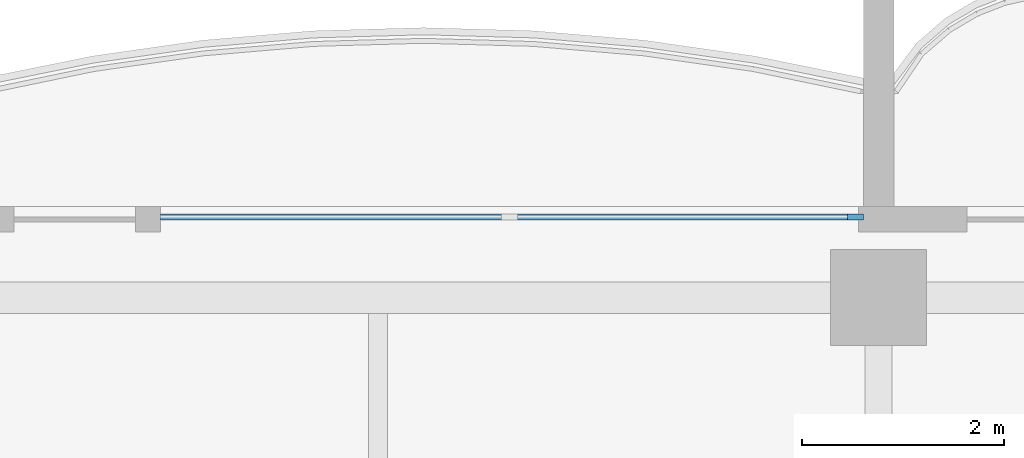
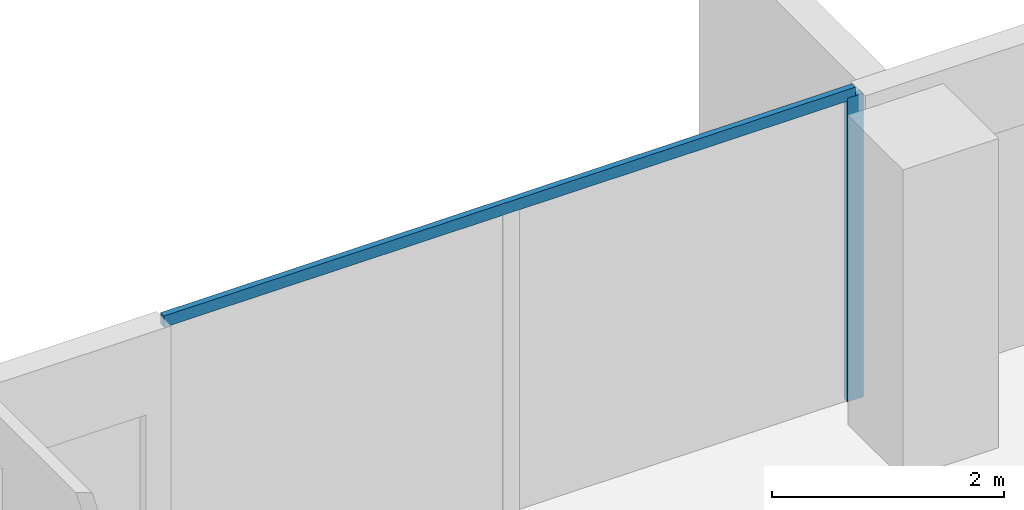
# One storey, part 6 of 17: 2 members, 1 element without a shape of its own.
"""IFC4 building model written with IfcOpenShell, lengths in metres."""

from ifc_helpers import new_model, si_unit, direction, frame, origin, origin_2d, place, context, subcontext, project, spatial, rectangle, extrude, material, material_profile, profile_set, type_object, element, aggregate, save


model = new_model("IFC4")

# Units and contexts
model_context = context("Model", 3, precision=1e-05, world=origin(), true_north=direction((0.0, 1.0)))
body_context = subcontext(model_context, "Body", "Model", "MODEL_VIEW")
ifc_project = project(units=[si_unit("LENGTHUNIT", "METRE"), si_unit("AREAUNIT", "SQUARE_METRE"), si_unit("VOLUMEUNIT", "CUBIC_METRE"), si_unit("PLANEANGLEUNIT", "RADIAN"), si_unit("MASSUNIT", "GRAM", prefix="KILO")], contexts=[model_context])

# Site, building, storey
site_placement = place(None, origin())
site = spatial("IfcSite", under=ifc_project, at=site_placement, CompositionType="ELEMENT")
building_placement = place(site_placement, origin())
building = spatial("IfcBuilding", under=site, at=building_placement, Name="Perihelion Cross Residences", CompositionType="ELEMENT")
storey_placement = place(building_placement, frame((0.0, 0.0, 212.10009765625)))
storey = spatial("IfcBuildingStorey", under=building, at=storey_placement, Name="L53", CompositionType="ELEMENT", Elevation=212.10009765625)

# Curtain wall, members
ifc_material_1 = material(Name="Bronze anodised aluminium, tinted glazing", Category="aluminium")
curtain_wall_type = type_object("IfcCurtainWallType", Name="CW1", PredefinedType="NOTDEFINED", material=ifc_material_1)
curtain_wall_placement = place(storey_placement, origin())
curtain_wall = element("IfcCurtainWall", 1, at=curtain_wall_placement, inside=storey, type_object=curtain_wall_type, Name="Curtain wall CW1 L53 east side north bay 2", PredefinedType="NOTDEFINED")
ifc_material_2 = material(Name="Bronze anodised aluminium", Category="aluminium")
ifc_material_profile_1 = material_profile(ifc_material_2, rectangle(XDim=0.06005859375, YDim=0.159912109375, at=origin_2d()), Name="CW1 mullion")
ifc_profile_set_1 = profile_set([ifc_material_profile_1], Name="Bronze anodised aluminium")
member_type_1 = type_object("IfcMemberType", Name="CW1 mullion", PredefinedType="MULLION", material=ifc_profile_set_1)
member_1_placement = place(storey_placement, frame((17.77001953125, 8.89990234375, 0.0), z_axis=(0.0, 0.0, 1.0), x_axis=(0.0, -1.0, 0.0)))
member_1 = element("IfcMember", 2, at=member_1_placement, type_object=member_type_1, Name="CW1 mullion 1", PredefinedType="MULLION", context=body_context, shape_type="SweptSolid", body=[
    extrude(rectangle(XDim=0.06005859375, YDim=0.159912109375, at=origin_2d()), origin(), (0.0, 0.0, 1.0), 3.18994140625),
])
ifc_material_3 = material(Name="Bronze anodised aluminium", Category="aluminium")
ifc_material_profile_2 = material_profile(ifc_material_3, rectangle(XDim=0.06005859375, YDim=0.1201171875, at=origin_2d()), Name="CW1 transom")
ifc_profile_set_2 = profile_set([ifc_material_profile_2], Name="Bronze anodised aluminium")
member_type_2 = type_object("IfcMemberType", Name="CW1 transom", PredefinedType="USERDEFINED", material=ifc_profile_set_2)
member_2_placement = place(storey_placement, frame((17.77001953125, 8.89990234375, 3.219970703125), z_axis=(-1.0, 0.0, 0.0), x_axis=(0.0, -1.0, 0.0)))
member_2 = element("IfcMember", 3, at=member_2_placement, type_object=member_type_2, Name="CW1 head transom", ObjectType="TRANSOM", PredefinedType="USERDEFINED", context=body_context, shape_type="SweptSolid", body=[
    extrude(rectangle(XDim=0.06005859375, YDim=0.1201171875, at=origin_2d()), origin(), (0.0, 0.0, 1.0), 6.8701171875),
])
aggregate(curtain_wall, [member_1, member_2])

save(model, "model.ifc")
